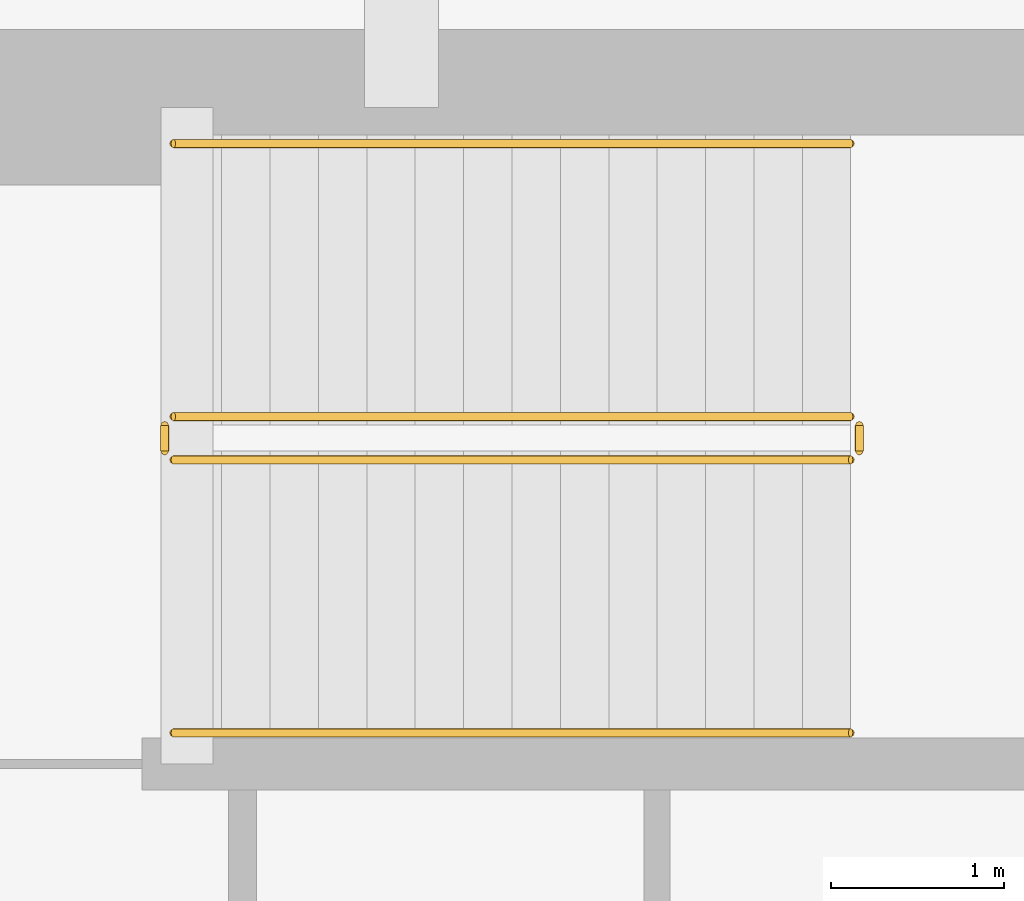
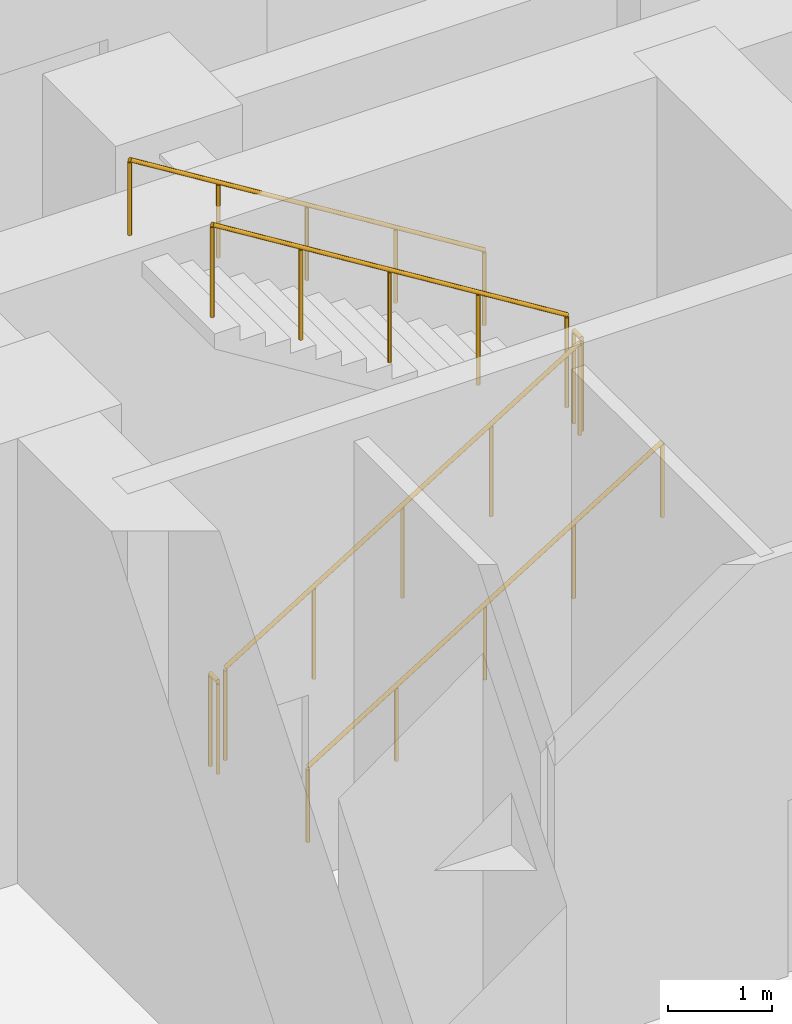
# One storey, part 10 of 13: 6 railings.
"""IFC4 building model written with IfcOpenShell, lengths in metres."""

from ifc_helpers import new_model, si_unit, direction, frame, origin, origin_2d, place, context, subcontext, project, spatial, circle, extrude, material, type_object, element, save


model = new_model("IFC4")

# Units and contexts
model_context = context("Model", 3, precision=1e-05, world=origin(), true_north=direction((0.0, 1.0)))
body_context = subcontext(model_context, "Body", "Model", "MODEL_VIEW")
ifc_project = project(units=[si_unit("LENGTHUNIT", "METRE"), si_unit("AREAUNIT", "SQUARE_METRE"), si_unit("VOLUMEUNIT", "CUBIC_METRE"), si_unit("PLANEANGLEUNIT", "RADIAN"), si_unit("MASSUNIT", "GRAM", prefix="KILO")], contexts=[model_context])

# Site, building, storey
site_placement = place(None, origin())
site = spatial("IfcSite", under=ifc_project, at=site_placement, CompositionType="ELEMENT")
building_placement = place(site_placement, origin())
building = spatial("IfcBuilding", under=site, at=building_placement, Name="Kestravale Grand Hotel", CompositionType="ELEMENT")
storey_placement = place(building_placement, frame((0.0, 0.0, 20.800048828125)))
storey = spatial("IfcBuildingStorey", under=building, at=storey_placement, Name="L04", CompositionType="ELEMENT", Elevation=20.800048828125)

# Railings
ifc_material_1 = material(Name="Painted tubular steel stair well guard", Category="steel")
railing_type_1 = type_object("IfcRailingType", Name="RL-ST-GRD1100", PredefinedType="GUARDRAIL", material=ifc_material_1)
railing_1_placement = place(storey_placement, frame((24.080078125, 38.280029296875, 0.17333984375)))
element("IfcRailing", 1, at=railing_1_placement, inside=storey, type_object=railing_type_1, Name="L04 ST-1 stair guard 1", PredefinedType="GUARDRAIL", context=body_context, shape_type="SweptSolid", body=[
    extrude(circle(Radius=0.02392578125, at=origin_2d()), frame((0.0, 0.0, 1.076171875), z_axis=(0.850275303828, 0.0, 0.526338206574), x_axis=(0.0, 1.0, 0.0)), (0.0, 0.0, 1.0), 4.610107421875),
    extrude(circle(Radius=0.02099609375, at=origin_2d()), origin(), (0.0, 0.0, 1.0), 1.052001953125),
    extrude(circle(Radius=0.02099609375, at=origin_2d()), frame((0.97998046875, 0.0, 0.606689453125)), (0.0, 0.0, 1.0), 1.052001953125),
    extrude(circle(Radius=0.02099609375, at=origin_2d()), frame((1.9599609375, 0.0, 1.21337890625)), (0.0, 0.0, 1.0), 1.052001953125),
    extrude(circle(Radius=0.02099609375, at=origin_2d()), frame((2.93994140625, 0.0, 1.81982421875)), (0.0, 0.0, 1.0), 1.052001953125),
    extrude(circle(Radius=0.02099609375, at=origin_2d()), frame((3.919921875, 0.0, 2.426513671875)), (0.0, 0.0, 1.0), 1.052001953125),
])
railing_2_placement = place(storey_placement, frame((28.050048828125, 38.330078125, 2.599853515625)))
element("IfcRailing", 2, at=railing_2_placement, inside=storey, type_object=railing_type_1, Name="L04 ST-1 stair guard 2", PredefinedType="GUARDRAIL", context=body_context, shape_type="SweptSolid", body=[
    extrude(circle(Radius=0.02392578125, at=origin_2d()), frame((0.0, 0.0, 1.076171875), z_axis=(0.0, 1.0, 0.0), x_axis=(-1.0, 0.0, 0.0)), (0.0, 0.0, 1.0), 0.14990234375),
    extrude(circle(Radius=0.02099609375, at=origin_2d()), origin(), (0.0, 0.0, 1.0), 1.052001953125),
    extrude(circle(Radius=0.02099609375, at=origin_2d()), frame((0.0, 0.14990234375, 0.0)), (0.0, 0.0, 1.0), 1.052001953125),
])
railing_3_placement = place(storey_placement, frame((28.0, 38.530029296875, 2.773193359375)))
element("IfcRailing", 3, at=railing_3_placement, inside=storey, type_object=railing_type_1, Name="L04 ST-1 stair guard 3", PredefinedType="GUARDRAIL", context=body_context, shape_type="SweptSolid", body=[
    extrude(circle(Radius=0.02392578125, at=origin_2d()), frame((0.0, 0.0, 1.076171875), z_axis=(-0.850251603719, 0.0, 0.526376491091), x_axis=(0.0, -1.0, 0.0)), (0.0, 0.0, 1.0), 4.6103515625),
    extrude(circle(Radius=0.02099609375, at=origin_2d()), origin(), (0.0, 0.0, 1.0), 1.052001953125),
    extrude(circle(Radius=0.02099609375, at=origin_2d()), frame((-0.97998046875, 0.0, 0.606689453125)), (0.0, 0.0, 1.0), 1.052001953125),
    extrude(circle(Radius=0.02099609375, at=origin_2d()), frame((-1.9599609375, 0.0, 1.21337890625)), (0.0, 0.0, 1.0), 1.052001953125),
    extrude(circle(Radius=0.02099609375, at=origin_2d()), frame((-2.93994140625, 0.0, 1.820068359375)), (0.0, 0.0, 1.0), 1.052001953125),
    extrude(circle(Radius=0.02099609375, at=origin_2d()), frame((-3.919921875, 0.0, 2.4267578125)), (0.0, 0.0, 1.0), 1.052001953125),
])
railing_4_placement = place(storey_placement, frame((24.030029296875, 38.330078125, 0.0)))
element("IfcRailing", 4, at=railing_4_placement, inside=storey, type_object=railing_type_1, Name="L04 ST-1 stair guard 4", PredefinedType="GUARDRAIL", context=body_context, shape_type="SweptSolid", body=[
    extrude(circle(Radius=0.02392578125, at=origin_2d()), frame((0.0, 0.0, 1.076171875), z_axis=(0.0, 1.0, 0.0), x_axis=(-1.0, 0.0, 0.0)), (0.0, 0.0, 1.0), 0.14990234375),
    extrude(circle(Radius=0.02099609375, at=origin_2d()), origin(), (0.0, 0.0, 1.0), 1.052001953125),
    extrude(circle(Radius=0.02099609375, at=origin_2d()), frame((0.0, 0.14990234375, 0.0)), (0.0, 0.0, 1.0), 1.052001953125),
])
ifc_material_2 = material(Name="Brushed stainless steel wall handrail", Category="steel")
railing_type_2 = type_object("IfcRailingType", Name="RL-ST-HND900", PredefinedType="HANDRAIL", material=ifc_material_2)
railing_5_placement = place(storey_placement, frame((24.080078125, 36.699951171875, 0.17333984375)))
element("IfcRailing", 5, at=railing_5_placement, inside=storey, type_object=railing_type_2, Name="L04 ST-1 stair handrail 1", PredefinedType="HANDRAIL", context=body_context, shape_type="SweptSolid", body=[
    extrude(circle(Radius=0.02392578125, at=origin_2d()), frame((0.0, 0.0, 0.8759765625), z_axis=(0.850275303828, 0.0, 0.526338206574), x_axis=(0.0, 1.0, 0.0)), (0.0, 0.0, 1.0), 4.610107421875),
    extrude(circle(Radius=0.02099609375, at=origin_2d()), origin(), (0.0, 0.0, 1.0), 0.851806640625),
    extrude(circle(Radius=0.02099609375, at=origin_2d()), frame((0.97998046875, 0.0, 0.606689453125)), (0.0, 0.0, 1.0), 0.851806640625),
    extrude(circle(Radius=0.02099609375, at=origin_2d()), frame((1.9599609375, 0.0, 1.21337890625)), (0.0, 0.0, 1.0), 0.851806640625),
    extrude(circle(Radius=0.02099609375, at=origin_2d()), frame((2.93994140625, 0.0, 1.81982421875)), (0.0, 0.0, 1.0), 0.851806640625),
    extrude(circle(Radius=0.02099609375, at=origin_2d()), frame((3.919921875, 0.0, 2.426513671875)), (0.0, 0.0, 1.0), 0.851806640625),
])
railing_6_placement = place(storey_placement, frame((28.0, 40.110107421875, 2.773193359375)))
element("IfcRailing", 6, at=railing_6_placement, inside=storey, type_object=railing_type_2, Name="L04 ST-1 stair handrail 2", PredefinedType="HANDRAIL", context=body_context, shape_type="SweptSolid", body=[
    extrude(circle(Radius=0.02392578125, at=origin_2d()), frame((0.0, 0.0, 0.8759765625), z_axis=(-0.850251603719, 0.0, 0.526376491091), x_axis=(0.0, -1.0, 0.0)), (0.0, 0.0, 1.0), 4.6103515625),
    extrude(circle(Radius=0.02099609375, at=origin_2d()), origin(), (0.0, 0.0, 1.0), 0.851806640625),
    extrude(circle(Radius=0.02099609375, at=origin_2d()), frame((-0.97998046875, 0.0, 0.606689453125)), (0.0, 0.0, 1.0), 0.851806640625),
    extrude(circle(Radius=0.02099609375, at=origin_2d()), frame((-1.9599609375, 0.0, 1.21337890625)), (0.0, 0.0, 1.0), 0.851806640625),
    extrude(circle(Radius=0.02099609375, at=origin_2d()), frame((-2.93994140625, 0.0, 1.820068359375)), (0.0, 0.0, 1.0), 0.851806640625),
    extrude(circle(Radius=0.02099609375, at=origin_2d()), frame((-3.919921875, 0.0, 2.4267578125)), (0.0, 0.0, 1.0), 0.851806640625),
])

save(model, "model.ifc")
